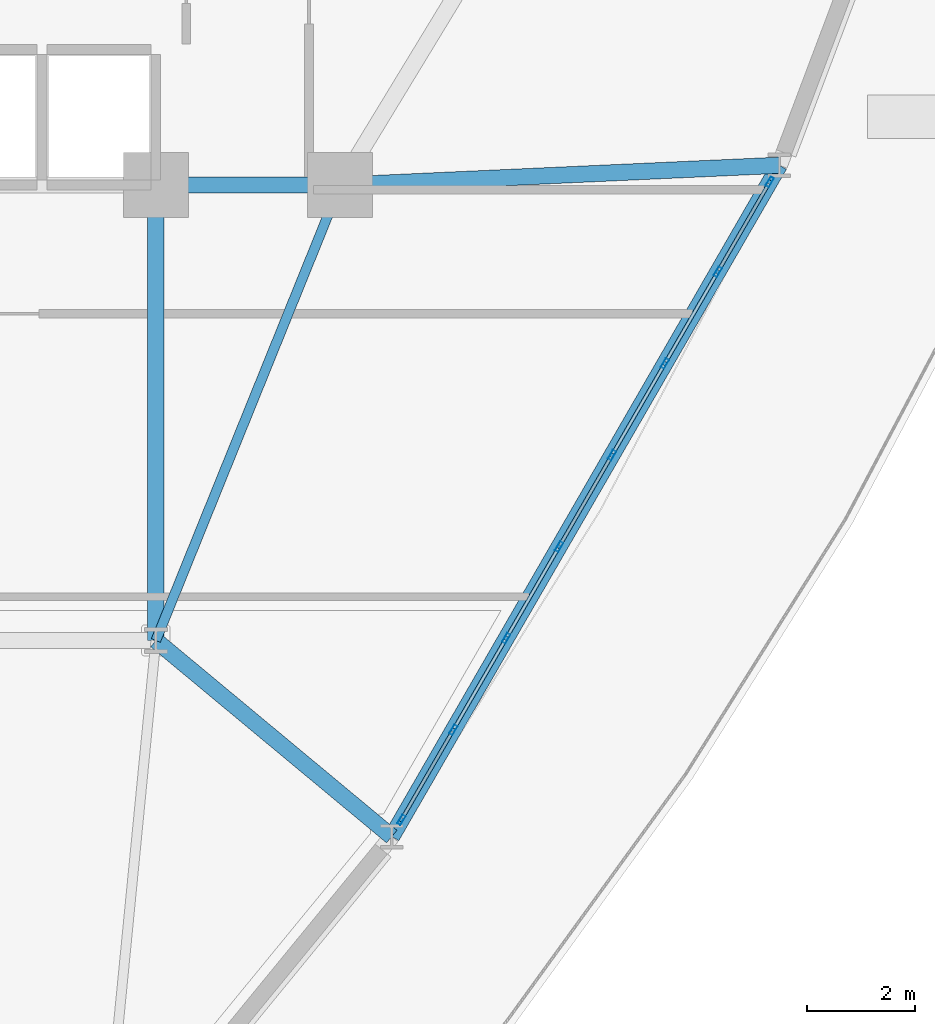
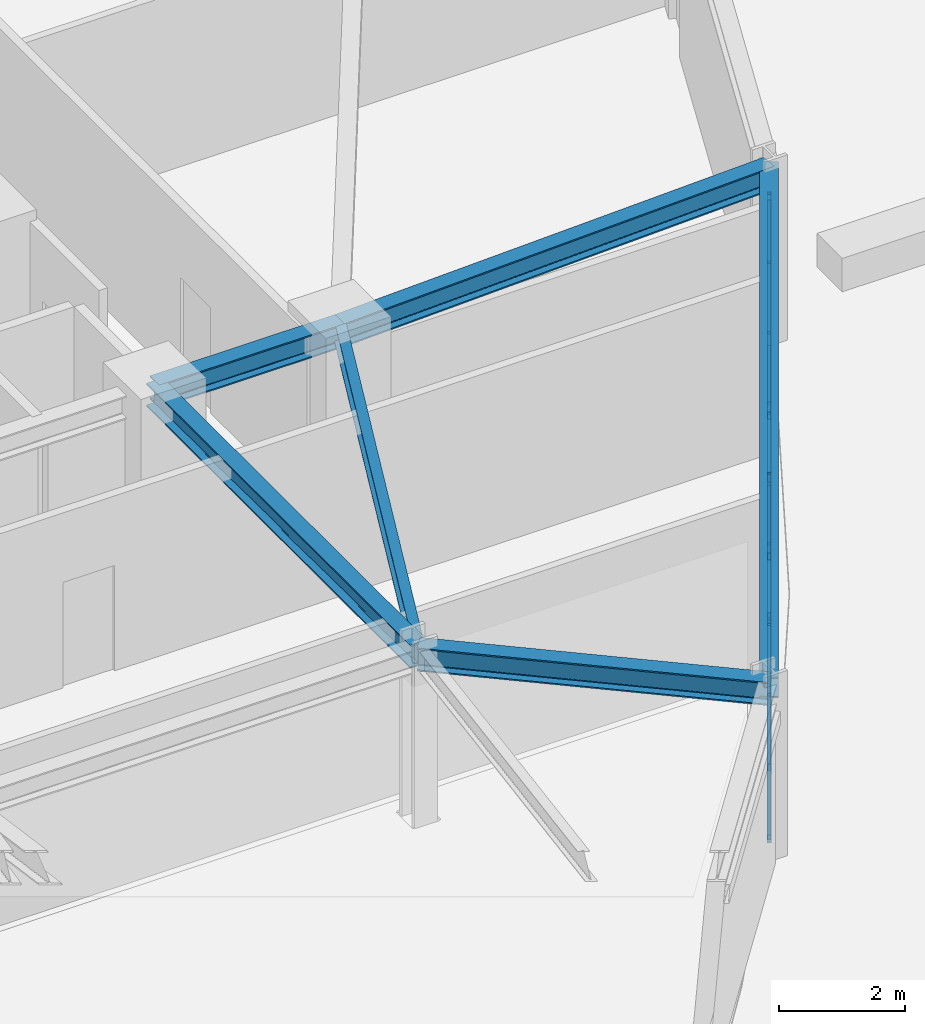
# One storey, part 7 of 23: 25 members, 6 beams, 1 element without a shape of its own.
"""IFC4 building model written with IfcOpenShell, lengths in metres."""

from ifc_helpers import new_model, si_unit, derived_unit, direction, frame, origin, origin_2d, place, context, subcontext, project, spatial, hollow_rectangle, i_section, extrude, source, transform, mapped, material, layer, layer_set, material_profile, profile_set, type_object, element, aggregate, save


model = new_model("IFC4")

# Units and contexts
model_context = context("Model", 3, precision=1e-05, world=origin(), true_north=direction((0.0, 1.0)))
body_context = subcontext(model_context, "Body", "Model", "MODEL_VIEW")
ifc_project = project(units=[si_unit("LENGTHUNIT", "METRE"), si_unit("AREAUNIT", "SQUARE_METRE"), si_unit("VOLUMEUNIT", "CUBIC_METRE"), si_unit("PLANEANGLEUNIT", "RADIAN"), si_unit("MASSUNIT", "GRAM", prefix="KILO"), derived_unit("THERMALTRANSMITTANCEUNIT", [(si_unit("POWERUNIT", "WATT"), 1), (si_unit("LENGTHUNIT", "METRE"), -2), (si_unit("THERMODYNAMICTEMPERATUREUNIT", "KELVIN"), -1)])], contexts=[model_context])

# Site, building, storey
site_placement = place(None, origin())
site = spatial("IfcSite", under=ifc_project, at=site_placement, CompositionType="ELEMENT")
building_placement = place(site_placement, origin())
building = spatial("IfcBuilding", under=site, at=building_placement, Name="Korsvarv Bourse and Concert Hall", CompositionType="ELEMENT")
storey_placement = place(building_placement, frame((0.0, 0.0, 99.0)))
storey = spatial("IfcBuildingStorey", under=building, at=storey_placement, Name="L24", CompositionType="ELEMENT", Elevation=99.0)

# Beams
ifc_material_1 = material(Name="Steel S355", Category="steel")
ifc_material_profile_1 = material_profile(ifc_material_1, i_section(OverallWidth=0.179931640625, OverallDepth=0.39990234375, WebThickness=0.008544921875, FlangeThickness=0.013427734375, FilletRadius=0.02099609375, at=origin_2d()), Name="IPE 400")
ifc_profile_set_1 = profile_set([ifc_material_profile_1], Name="Steel S355")
beam_type_1 = type_object("IfcBeamType", Name="BM-IPE400", PredefinedType="JOIST", material=ifc_profile_set_1)
shared_shape_1 = source(origin(), body_context, "Body", "SweptSolid", [
    extrude(i_section(OverallWidth=0.179931640625, OverallDepth=0.39990234375, WebThickness=0.008544921875, FlangeThickness=0.013427734375, FilletRadius=0.02099609375, at=origin_2d()), origin(), (0.0, 0.0, 1.0), 9.06201171875),
])
beam_1_placement = place(storey_placement, frame((47.800048828125, 32.39990234375, 3.199951171875), z_axis=(-0.375210394783, -0.926939674222, 0.0), x_axis=(0.926939674222, -0.375210394783, 0.0)))
element("IfcBeam", 1, at=beam_1_placement, inside=storey, type_object=beam_type_1, Name="L24 beam J-05", PredefinedType="JOIST", context=body_context, shape_type="MappedRepresentation", body=[
    mapped(shared_shape_1, transform((0.0, 0.0, 0.0), scale=1.0)),
])
ifc_material_profile_2 = material_profile(ifc_material_1, i_section(OverallWidth=0.300048828125, OverallDepth=0.449951171875, WebThickness=0.013916015625, FlangeThickness=0.02587890625, FilletRadius=0.02099609375, at=origin_2d()), Name="HEB 450")
ifc_profile_set_2 = profile_set([ifc_material_profile_2], Name="Steel S355")
beam_type_2 = type_object("IfcBeamType", Name="BM-HEB450", PredefinedType="SPANDREL", material=ifc_profile_set_2)
shared_shape_2 = source(origin(), body_context, "Body", "SweptSolid", [
    extrude(i_section(OverallWidth=0.300048828125, OverallDepth=0.449951171875, WebThickness=0.013916015625, FlangeThickness=0.02587890625, FilletRadius=0.02099609375, at=origin_2d()), origin(), (0.0, 0.0, 1.0), 3.400146484375),
])
beam_2_placement = place(storey_placement, frame((44.39990234375, 32.39990234375, 3.175048828125), z_axis=(1.0, 0.0, 0.0), x_axis=(0.0, 1.0, 0.0)))
element("IfcBeam", 2, at=beam_2_placement, inside=storey, type_object=beam_type_2, Name="L24 beam B-08", PredefinedType="SPANDREL", context=body_context, shape_type="MappedRepresentation", body=[
    mapped(shared_shape_2, transform((0.0, 0.0, 0.0), scale=1.0)),
])
shared_shape_3 = source(origin(), body_context, "Body", "SweptSolid", [
    extrude(i_section(OverallWidth=0.300048828125, OverallDepth=0.449951171875, WebThickness=0.013916015625, FlangeThickness=0.02587890625, FilletRadius=0.02099609375, at=origin_2d()), origin(), (0.0, 0.0, 1.0), 8.39990234375),
])
beam_3_placement = place(storey_placement, frame((44.39990234375, 24.0, 3.175048828125), z_axis=(0.0, 1.0, 0.0), x_axis=(-1.0, 0.0, 0.0)))
element("IfcBeam", 3, at=beam_3_placement, inside=storey, type_object=beam_type_2, Name="L24 beam B-08", PredefinedType="SPANDREL", context=body_context, shape_type="MappedRepresentation", body=[
    mapped(shared_shape_3, transform((0.0, 0.0, 0.0), scale=1.0)),
])
ifc_material_profile_3 = material_profile(ifc_material_1, i_section(OverallWidth=0.300048828125, OverallDepth=0.39990234375, WebThickness=0.013427734375, FlangeThickness=0.02392578125, FilletRadius=0.02099609375, at=origin_2d()), Name="HEB 400")
ifc_profile_set_3 = profile_set([ifc_material_profile_3], Name="Steel S355")
beam_type_3 = type_object("IfcBeamType", Name="BM-HEB400", PredefinedType="SPANDREL", material=ifc_profile_set_3)
shared_shape_4 = source(origin(), body_context, "Body", "SweptSolid", [
    extrude(i_section(OverallWidth=0.300048828125, OverallDepth=0.39990234375, WebThickness=0.013427734375, FlangeThickness=0.02392578125, FilletRadius=0.02099609375, at=origin_2d()), origin(), (0.0, 0.0, 1.0), 14.298828125),
])
beam_4_placement = place(storey_placement, frame((48.751220703125, 20.3828125, 3.199951171875), z_axis=(0.500002778788, 0.866023799444, 0.0), x_axis=(-0.866023799444, 0.500002778788, 0.0)))
element("IfcBeam", 4, at=beam_4_placement, inside=storey, type_object=beam_type_3, Name="L24 beam B-09", PredefinedType="SPANDREL", context=body_context, shape_type="MappedRepresentation", body=[
    mapped(shared_shape_4, transform((0.0, 0.0, 0.0), scale=1.0)),
])
shared_shape_5 = source(origin(), body_context, "Body", "SweptSolid", [
    extrude(i_section(OverallWidth=0.300048828125, OverallDepth=0.449951171875, WebThickness=0.013916015625, FlangeThickness=0.02587890625, FilletRadius=0.02099609375, at=origin_2d()), origin(), (0.0, 0.0, 1.0), 8.10888671875),
])
beam_5_placement = place(storey_placement, frame((55.900634765625, 32.765869140625, 3.175048828125), z_axis=(-0.998981041914, -0.04513178366, 0.0), x_axis=(0.04513178366, -0.998981041914, 0.0)))
element("IfcBeam", 5, at=beam_5_placement, inside=storey, type_object=beam_type_2, Name="L24 beam B-08", PredefinedType="SPANDREL", context=body_context, shape_type="MappedRepresentation", body=[
    mapped(shared_shape_5, transform((0.0, 0.0, 0.0), scale=1.0)),
])
shared_shape_6 = source(origin(), body_context, "Body", "SweptSolid", [
    extrude(i_section(OverallWidth=0.300048828125, OverallDepth=0.449951171875, WebThickness=0.013916015625, FlangeThickness=0.02587890625, FilletRadius=0.02099609375, at=origin_2d()), origin(), (0.0, 0.0, 1.0), 5.658447265625),
])
beam_6_placement = place(storey_placement, frame((48.751220703125, 20.3828125, 3.175048828125), z_axis=(-0.768995227549, 0.639254518957, 0.0), x_axis=(-0.639254518957, -0.768995227549, 0.0)))
element("IfcBeam", 6, at=beam_6_placement, inside=storey, type_object=beam_type_2, Name="L24 beam B-08", PredefinedType="SPANDREL", context=body_context, shape_type="MappedRepresentation", body=[
    mapped(shared_shape_6, transform((0.0, 0.0, 0.0), scale=1.0)),
])

# Curtain wall, members
ifc_material_2 = material(Name="Anodised aluminium and triple low-E glazing", Category="glass")
ifc_layer = layer(ifc_material_2, 0.2099609375)
ifc_layer_set = layer_set([ifc_layer], Name="Anodised aluminium and triple low-E glazing")
curtain_wall_type = type_object("IfcCurtainWallType", Name="CW-SYS-2", PredefinedType="NOTDEFINED", material=ifc_layer_set)
curtain_wall_placement = place(storey_placement, origin())
curtain_wall = element("IfcCurtainWall", 7, at=curtain_wall_placement, inside=storey, type_object=curtain_wall_type, Name="L24 CW2 curtain wall CW-L24-F11", PredefinedType="NOTDEFINED")
ifc_material_3 = material(Name="Extruded aluminium EN AW-6063 T66", Category="aluminium")
ifc_material_profile_4 = material_profile(ifc_material_3, hollow_rectangle(XDim=0.070068359375, YDim=0.18994140625, WallThickness=0.0048828125, at=origin_2d()), Name="ALU-M 70x190")
ifc_profile_set_4 = profile_set([ifc_material_profile_4], Name="Extruded aluminium EN AW-6063 T66")
member_type_1 = type_object("IfcMemberType", Name="CWM-190", PredefinedType="MULLION", material=ifc_profile_set_4)
shared_shape_7 = source(origin(), body_context, "Body", "SweptSolid", [
    extrude(hollow_rectangle(XDim=0.070068359375, YDim=0.18994140625, WallThickness=0.0048828125, at=origin_2d()), origin(), (0.0, 0.0, 1.0), 3.0),
])
member_1_placement = place(storey_placement, frame((48.928955078125, 20.6904296875, 0.0), z_axis=(0.0, 0.0, 1.0), x_axis=(-0.866024031595, 0.500002376695, 0.0)))
member_1 = element("IfcMember", 8, at=member_1_placement, type_object=member_type_1, Name="CW2 mullion 1", PredefinedType="MULLION", context=body_context, shape_type="MappedRepresentation", body=[
    mapped(shared_shape_7, transform((0.0, 0.0, 0.0), scale=1.0)),
])
member_2_placement = place(storey_placement, frame((49.886962890625, 22.349853515625, 0.0), z_axis=(0.0, 0.0, 1.0), x_axis=(-0.866024031595, 0.500002376695, 0.0)))
member_2 = element("IfcMember", 9, at=member_2_placement, type_object=member_type_1, Name="CW2 mullion 2", PredefinedType="MULLION", context=body_context, shape_type="MappedRepresentation", body=[
    mapped(shared_shape_7, transform((0.0, 0.0, 0.0), scale=1.0)),
])
member_3_placement = place(storey_placement, frame((50.862548828125, 24.03955078125, 0.0), z_axis=(0.0, 0.0, 1.0), x_axis=(-0.866024031595, 0.500002376695, 0.0)))
member_3 = element("IfcMember", 10, at=member_3_placement, type_object=member_type_1, Name="CW2 mullion 3", PredefinedType="MULLION", context=body_context, shape_type="MappedRepresentation", body=[
    mapped(shared_shape_7, transform((0.0, 0.0, 0.0), scale=1.0)),
])
member_4_placement = place(storey_placement, frame((51.838134765625, 25.7294921875, 0.0), z_axis=(0.0, 0.0, 1.0), x_axis=(-0.866024031595, 0.500002376695, 0.0)))
member_4 = element("IfcMember", 11, at=member_4_placement, type_object=member_type_1, Name="CW2 mullion 4", PredefinedType="MULLION", context=body_context, shape_type="MappedRepresentation", body=[
    mapped(shared_shape_7, transform((0.0, 0.0, 0.0), scale=1.0)),
])
member_5_placement = place(storey_placement, frame((52.813720703125, 27.419189453125, 0.0), z_axis=(0.0, 0.0, 1.0), x_axis=(-0.866024031595, 0.500002376695, 0.0)))
member_5 = element("IfcMember", 12, at=member_5_placement, type_object=member_type_1, Name="CW2 mullion 5", PredefinedType="MULLION", context=body_context, shape_type="MappedRepresentation", body=[
    mapped(shared_shape_7, transform((0.0, 0.0, 0.0), scale=1.0)),
])
member_6_placement = place(storey_placement, frame((53.789306640625, 29.10888671875, 0.0), z_axis=(0.0, 0.0, 1.0), x_axis=(-0.866024031595, 0.500002376695, 0.0)))
member_6 = element("IfcMember", 13, at=member_6_placement, type_object=member_type_1, Name="CW2 mullion 6", PredefinedType="MULLION", context=body_context, shape_type="MappedRepresentation", body=[
    mapped(shared_shape_7, transform((0.0, 0.0, 0.0), scale=1.0)),
])
member_7_placement = place(storey_placement, frame((54.764892578125, 30.798583984375, 0.0), z_axis=(0.0, 0.0, 1.0), x_axis=(-0.866024031595, 0.500002376695, 0.0)))
member_7 = element("IfcMember", 14, at=member_7_placement, type_object=member_type_1, Name="CW2 mullion 7", PredefinedType="MULLION", context=body_context, shape_type="MappedRepresentation", body=[
    mapped(shared_shape_7, transform((0.0, 0.0, 0.0), scale=1.0)),
])
member_8_placement = place(storey_placement, frame((55.722900390625, 32.4580078125, 0.0), z_axis=(0.0, 0.0, 1.0), x_axis=(-0.866024031595, 0.500002376695, 0.0)))
member_8 = element("IfcMember", 15, at=member_8_placement, type_object=member_type_1, Name="CW2 mullion 8", PredefinedType="MULLION", context=body_context, shape_type="MappedRepresentation", body=[
    mapped(shared_shape_7, transform((0.0, 0.0, 0.0), scale=1.0)),
])
ifc_material_profile_5 = material_profile(ifc_material_3, hollow_rectangle(XDim=0.06494140625, YDim=0.139892578125, WallThickness=0.00390625, at=origin_2d()), Name="ALU-T 65x140")
ifc_profile_set_5 = profile_set([ifc_material_profile_5], Name="Extruded aluminium EN AW-6063 T66")
member_type_2 = type_object("IfcMemberType", Name="CWT-140", PredefinedType="USERDEFINED", material=ifc_profile_set_5)
shared_shape_8 = source(origin(), body_context, "Body", "SweptSolid", [
    extrude(hollow_rectangle(XDim=0.06494140625, YDim=0.139892578125, WallThickness=0.00390625, at=origin_2d()), origin(), (0.0, 0.0, 1.0), 1.84619140625),
])
member_9_placement = place(storey_placement, frame((48.9462890625, 20.720703125, 0.032470703125), z_axis=(0.499993363642, 0.866029235253, 0.0), x_axis=(-0.866029235253, 0.499993363642, 0.0)))
member_9 = element("IfcMember", 16, at=member_9_placement, type_object=member_type_2, Name="CW2 transom 1.1", ObjectType="TRANSOM", PredefinedType="USERDEFINED", context=body_context, shape_type="MappedRepresentation", body=[
    mapped(shared_shape_8, transform((0.0, 0.0, 0.0), scale=1.0)),
])
member_10_placement = place(storey_placement, frame((48.9462890625, 20.720703125, 2.967529296875), z_axis=(0.499993363642, 0.866029235253, 0.0), x_axis=(-0.866029235253, 0.499993363642, 0.0)))
member_10 = element("IfcMember", 17, at=member_10_placement, type_object=member_type_2, Name="CW2 transom 1.2", ObjectType="TRANSOM", PredefinedType="USERDEFINED", context=body_context, shape_type="MappedRepresentation", body=[
    mapped(shared_shape_8, transform((0.0, 0.0, 0.0), scale=1.0)),
])
member_11_placement = place(storey_placement, frame((54.7822265625, 30.828857421875, 0.032470703125), z_axis=(0.499993363642, 0.866029235253, 0.0), x_axis=(-0.866029235253, 0.499993363642, 0.0)))
member_11 = element("IfcMember", 18, at=member_11_placement, type_object=member_type_2, Name="CW2 transom 7.1", ObjectType="TRANSOM", PredefinedType="USERDEFINED", context=body_context, shape_type="MappedRepresentation", body=[
    mapped(shared_shape_8, transform((0.0, 0.0, 0.0), scale=1.0)),
])
member_12_placement = place(storey_placement, frame((54.7822265625, 30.828857421875, 2.967529296875), z_axis=(0.499993363642, 0.866029235253, 0.0), x_axis=(-0.866029235253, 0.499993363642, 0.0)))
member_12 = element("IfcMember", 19, at=member_12_placement, type_object=member_type_2, Name="CW2 transom 7.2", ObjectType="TRANSOM", PredefinedType="USERDEFINED", context=body_context, shape_type="MappedRepresentation", body=[
    mapped(shared_shape_8, transform((0.0, 0.0, 0.0), scale=1.0)),
])
ifc_material_profile_6 = material_profile(ifc_material_3, hollow_rectangle(XDim=0.06494140625, YDim=0.1650390625, WallThickness=0.0048828125, at=origin_2d()), Name="ALU-M 65x165")
ifc_profile_set_6 = profile_set([ifc_material_profile_6], Name="Extruded aluminium EN AW-6063 T66")
member_type_3 = type_object("IfcMemberType", Name="CWM-165", PredefinedType="MULLION", material=ifc_profile_set_6)
shared_shape_9 = source(origin(), body_context, "Body", "SweptSolid", [
    extrude(hollow_rectangle(XDim=0.06494140625, YDim=0.1650390625, WallThickness=0.0048828125, at=origin_2d()), origin(), (0.0, 0.0, 1.0), 3.41259765625),
])
member_13_placement = place(storey_placement, frame((48.9462890625, 20.720703125, 0.06494140625), z_axis=(0.270493439102, 0.468516670902, 0.84102641367), x_axis=(-0.866029235253, 0.499993363642, 0.0)))
member_13 = element("IfcMember", 20, at=member_13_placement, type_object=member_type_3, Name="CW2 diagonal mullion 1", PredefinedType="MULLION", context=body_context, shape_type="MappedRepresentation", body=[
    mapped(shared_shape_9, transform((0.0, 0.0, 0.0), scale=1.0)),
])
member_14_placement = place(storey_placement, frame((54.7822265625, 30.828857421875, 0.06494140625), z_axis=(0.270493439102, 0.468516670902, 0.84102641367), x_axis=(-0.866029235253, 0.499993363642, 0.0)))
member_14 = element("IfcMember", 21, at=member_14_placement, type_object=member_type_3, Name="CW2 diagonal mullion 7", PredefinedType="MULLION", context=body_context, shape_type="MappedRepresentation", body=[
    mapped(shared_shape_9, transform((0.0, 0.0, 0.0), scale=1.0)),
])
shared_shape_10 = source(origin(), body_context, "Body", "SweptSolid", [
    extrude(hollow_rectangle(XDim=0.06494140625, YDim=0.139892578125, WallThickness=0.00390625, at=origin_2d()), origin(), (0.0, 0.0, 1.0), 1.881103515625),
])
member_15_placement = place(storey_placement, frame((49.904541015625, 22.380126953125, 0.032470703125), z_axis=(0.4999359155, 0.866062399826, 0.0), x_axis=(-0.866062399826, 0.4999359155, 0.0)))
member_15 = element("IfcMember", 22, at=member_15_placement, type_object=member_type_2, Name="CW2 transom 2.1", ObjectType="TRANSOM", PredefinedType="USERDEFINED", context=body_context, shape_type="MappedRepresentation", body=[
    mapped(shared_shape_10, transform((0.0, 0.0, 0.0), scale=1.0)),
])
member_16_placement = place(storey_placement, frame((49.904541015625, 22.380126953125, 2.967529296875), z_axis=(0.4999359155, 0.866062399826, 0.0), x_axis=(-0.866062399826, 0.4999359155, 0.0)))
member_16 = element("IfcMember", 23, at=member_16_placement, type_object=member_type_2, Name="CW2 transom 2.2", ObjectType="TRANSOM", PredefinedType="USERDEFINED", context=body_context, shape_type="MappedRepresentation", body=[
    mapped(shared_shape_10, transform((0.0, 0.0, 0.0), scale=1.0)),
])
member_17_placement = place(storey_placement, frame((51.855712890625, 25.759765625, 0.032470703125), z_axis=(0.4999359155, 0.866062399826, 0.0), x_axis=(-0.866062399826, 0.4999359155, 0.0)))
member_17 = element("IfcMember", 24, at=member_17_placement, type_object=member_type_2, Name="CW2 transom 4.1", ObjectType="TRANSOM", PredefinedType="USERDEFINED", context=body_context, shape_type="MappedRepresentation", body=[
    mapped(shared_shape_10, transform((0.0, 0.0, 0.0), scale=1.0)),
])
member_18_placement = place(storey_placement, frame((51.855712890625, 25.759765625, 2.967529296875), z_axis=(0.4999359155, 0.866062399826, 0.0), x_axis=(-0.866062399826, 0.4999359155, 0.0)))
member_18 = element("IfcMember", 25, at=member_18_placement, type_object=member_type_2, Name="CW2 transom 4.2", ObjectType="TRANSOM", PredefinedType="USERDEFINED", context=body_context, shape_type="MappedRepresentation", body=[
    mapped(shared_shape_10, transform((0.0, 0.0, 0.0), scale=1.0)),
])
member_19_placement = place(storey_placement, frame((52.831298828125, 27.449462890625, 0.032470703125), z_axis=(0.4999359155, 0.866062399826, 0.0), x_axis=(-0.866062399826, 0.4999359155, 0.0)))
member_19 = element("IfcMember", 26, at=member_19_placement, type_object=member_type_2, Name="CW2 transom 5.1", ObjectType="TRANSOM", PredefinedType="USERDEFINED", context=body_context, shape_type="MappedRepresentation", body=[
    mapped(shared_shape_10, transform((0.0, 0.0, 0.0), scale=1.0)),
])
member_20_placement = place(storey_placement, frame((52.831298828125, 27.449462890625, 2.967529296875), z_axis=(0.4999359155, 0.866062399826, 0.0), x_axis=(-0.866062399826, 0.4999359155, 0.0)))
member_20 = element("IfcMember", 27, at=member_20_placement, type_object=member_type_2, Name="CW2 transom 5.2", ObjectType="TRANSOM", PredefinedType="USERDEFINED", context=body_context, shape_type="MappedRepresentation", body=[
    mapped(shared_shape_10, transform((0.0, 0.0, 0.0), scale=1.0)),
])
member_21_placement = place(storey_placement, frame((53.806640625, 29.13916015625, 0.032470703125), z_axis=(0.50003325389, 0.866006203791, 0.0), x_axis=(-0.866006203791, 0.50003325389, 0.0)))
member_21 = element("IfcMember", 28, at=member_21_placement, type_object=member_type_2, Name="CW2 transom 6.1", ObjectType="TRANSOM", PredefinedType="USERDEFINED", context=body_context, shape_type="MappedRepresentation", body=[
    mapped(shared_shape_10, transform((0.0, 0.0, 0.0), scale=1.0)),
])
member_22_placement = place(storey_placement, frame((53.806640625, 29.13916015625, 2.967529296875), z_axis=(0.50003325389, 0.866006203791, 0.0), x_axis=(-0.866006203791, 0.50003325389, 0.0)))
member_22 = element("IfcMember", 29, at=member_22_placement, type_object=member_type_2, Name="CW2 transom 6.2", ObjectType="TRANSOM", PredefinedType="USERDEFINED", context=body_context, shape_type="MappedRepresentation", body=[
    mapped(shared_shape_10, transform((0.0, 0.0, 0.0), scale=1.0)),
])
shared_shape_11 = source(origin(), body_context, "Body", "SweptSolid", [
    extrude(hollow_rectangle(XDim=0.06494140625, YDim=0.1650390625, WallThickness=0.0048828125, at=origin_2d()), origin(), (0.0, 0.0, 1.0), 3.431640625),
])
member_23_placement = place(storey_placement, frame((52.796142578125, 27.388916015625, 0.06494140625), z_axis=(-0.274047202407, -0.474744803132, 0.83637043393), x_axis=(0.866062399826, -0.4999359155, 0.0)))
member_23 = element("IfcMember", 30, at=member_23_placement, type_object=member_type_3, Name="CW2 diagonal mullion 4", PredefinedType="MULLION", context=body_context, shape_type="MappedRepresentation", body=[
    mapped(shared_shape_11, transform((0.0, 0.0, 0.0), scale=1.0)),
])
shared_shape_12 = source(origin(), body_context, "Body", "SweptSolid", [
    extrude(hollow_rectangle(XDim=0.06494140625, YDim=0.139892578125, WallThickness=0.00390625, at=origin_2d()), origin(), (0.0, 0.0, 1.0), 1.880859375),
])
member_24_placement = place(storey_placement, frame((50.880126953125, 24.070068359375, 0.032470703125), z_axis=(0.499992114976, 0.866029956157, 0.0), x_axis=(-0.866029956157, 0.499992114976, 0.0)))
member_24 = element("IfcMember", 31, at=member_24_placement, type_object=member_type_2, Name="CW2 transom 3.1", ObjectType="TRANSOM", PredefinedType="USERDEFINED", context=body_context, shape_type="MappedRepresentation", body=[
    mapped(shared_shape_12, transform((0.0, 0.0, 0.0), scale=1.0)),
])
member_25_placement = place(storey_placement, frame((50.880126953125, 24.070068359375, 2.967529296875), z_axis=(0.499992114976, 0.866029956157, 0.0), x_axis=(-0.866029956157, 0.499992114976, 0.0)))
member_25 = element("IfcMember", 32, at=member_25_placement, type_object=member_type_2, Name="CW2 transom 3.2", ObjectType="TRANSOM", PredefinedType="USERDEFINED", context=body_context, shape_type="MappedRepresentation", body=[
    mapped(shared_shape_12, transform((0.0, 0.0, 0.0), scale=1.0)),
])
aggregate(curtain_wall, [member_1, member_2, member_3, member_4, member_5, member_6, member_7, member_8, member_9, member_10, member_13, member_15, member_16, member_24, member_25, member_17, member_18, member_23, member_19, member_20, member_21, member_22, member_11, member_12, member_14])

save(model, "model.ifc")
